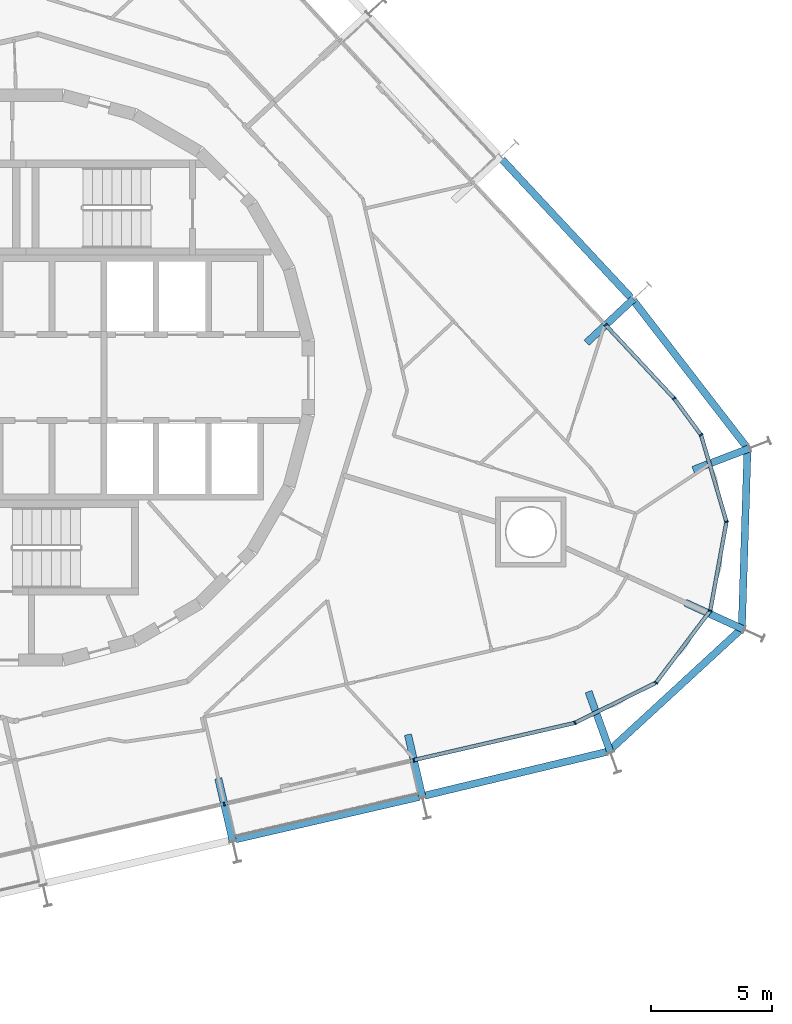
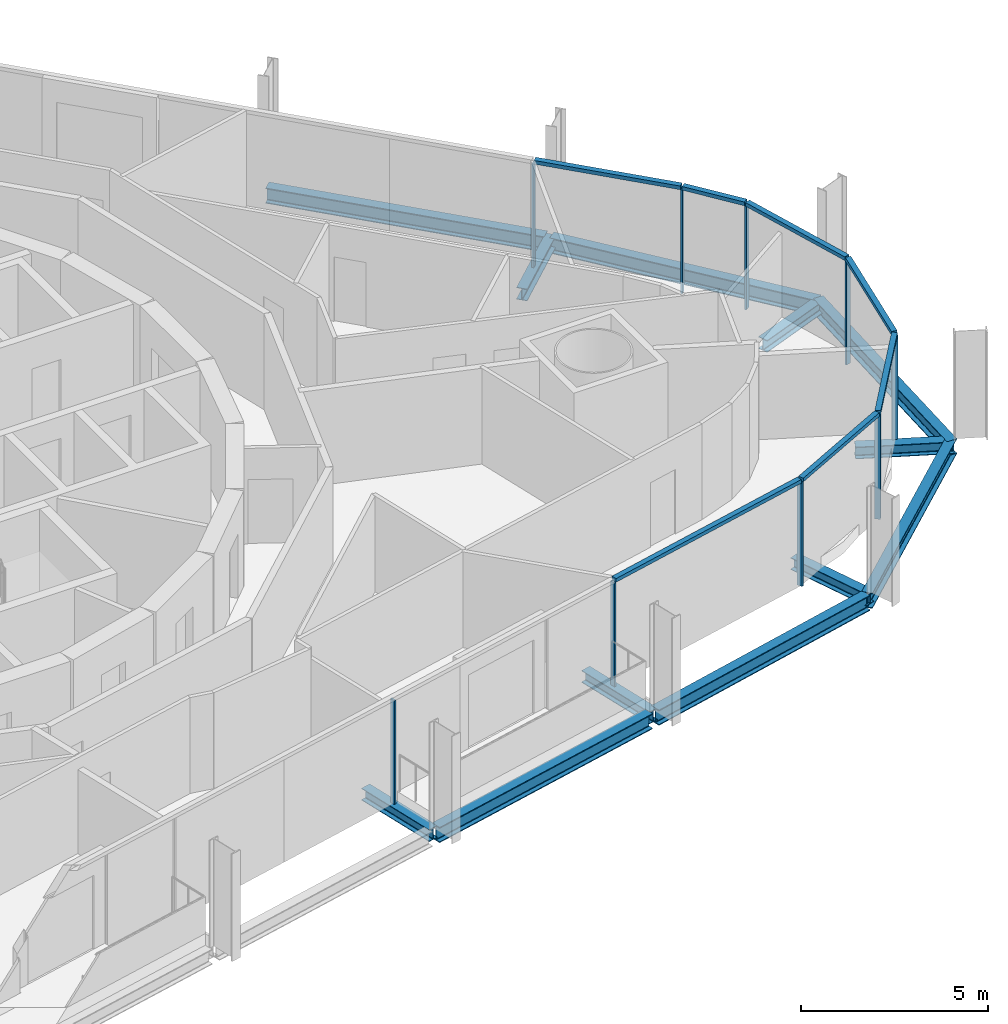
# One storey, part 6 of 18: 16 members, 12 beams, 3 elements without a shape of their own.
"""IFC4 building model written with IfcOpenShell, lengths in metres."""

from ifc_helpers import new_model, si_unit, direction, frame, origin, origin_2d, place, context, subcontext, project, spatial, rectangle, i_section, extrude, material, layer, layer_set, material_profile, profile_set, type_object, element, aggregate, save


model = new_model("IFC4")

# Units and contexts
model_context = context("Model", 3, precision=1e-05, world=origin(), true_north=direction((0.0, 1.0)))
body_context = subcontext(model_context, "Body", "Model", "MODEL_VIEW")
ifc_project = project(units=[si_unit("LENGTHUNIT", "METRE"), si_unit("AREAUNIT", "SQUARE_METRE"), si_unit("VOLUMEUNIT", "CUBIC_METRE"), si_unit("PLANEANGLEUNIT", "RADIAN"), si_unit("MASSUNIT", "GRAM", prefix="KILO")], contexts=[model_context])

# Site, building, storey
site_placement = place(None, origin())
site = spatial("IfcSite", under=ifc_project, at=site_placement, CompositionType="ELEMENT")
building_placement = place(site_placement, origin())
building = spatial("IfcBuilding", under=site, at=building_placement, Name="Spindle Arch Residences", CompositionType="ELEMENT")
storey_placement = place(building_placement, frame((0.0, 0.0, 120.39990234375)))
storey = spatial("IfcBuildingStorey", under=building, at=storey_placement, Name="L29", CompositionType="ELEMENT", Elevation=120.39990234375)

# Curtain wall, members
ifc_material_1 = material(Name="Aluminium bronze unitised frame with tinted glass", Category="aluminium")
ifc_layer_1 = layer(ifc_material_1, 0.159912109375)
ifc_layer_set_1 = layer_set([ifc_layer_1], Name="CW-D corner wall on the fillet arcs")
curtain_wall_type_1 = type_object("IfcCurtainWallType", Name="CW-D corner wall on the fillet arcs", PredefinedType="NOTDEFINED", material=ifc_layer_set_1)
curtain_wall_1_placement = place(storey_placement, origin())
curtain_wall_1 = element("IfcCurtainWall", 1, at=curtain_wall_1_placement, inside=storey, type_object=curtain_wall_type_1, Name="CW-D L29 run 1", PredefinedType="NOTDEFINED")
ifc_material_2 = material(Name="Aluminium bronze anodised mullion", Category="aluminium")
ifc_material_profile_1 = material_profile(ifc_material_2, rectangle(XDim=0.159912109375, YDim=0.06005859375, at=origin_2d()), Name="MU 60x160")
ifc_profile_set_1 = profile_set([ifc_material_profile_1], Name="Aluminium bronze anodised mullion")
member_type_1 = type_object("IfcMemberType", Name="Bronze mullion 60x160", PredefinedType="MULLION", material=ifc_profile_set_1)
member_1_placement = place(storey_placement, frame((16.002685546875, -15.775390625, -0.3798828125), z_axis=(0.0, 0.0, 1.0), x_axis=(-0.224951054344, 0.974370064785, 0.0)))
member_1 = element("IfcMember", 2, at=member_1_placement, type_object=member_type_1, Name="CW-D mullion 00", PredefinedType="MULLION", context=body_context, shape_type="SweptSolid", body=[
    extrude(rectangle(XDim=0.159912109375, YDim=0.06005859375, at=origin_2d()), origin(), (0.0, 0.0, 1.0), 3.3798828125),
])
member_2_placement = place(storey_placement, frame((22.647705078125, -14.2412109375, -0.3798828125), z_axis=(0.0, 0.0, 1.0), x_axis=(-0.443592675931, 0.896228507614, 0.0)))
member_2 = element("IfcMember", 3, at=member_2_placement, type_object=member_type_1, Name="CW-D mullion 01", PredefinedType="MULLION", context=body_context, shape_type="SweptSolid", body=[
    extrude(rectangle(XDim=0.159912109375, YDim=0.06005859375, at=origin_2d()), origin(), (0.0, 0.0, 1.0), 3.3798828125),
])
member_3_placement = place(storey_placement, frame((25.987548828125, -12.588134765625, -0.3798828125), z_axis=(0.0, 0.0, 1.0), x_axis=(-0.798635511056, 0.601815021814, 0.0)))
member_3 = element("IfcMember", 4, at=member_3_placement, type_object=member_type_1, Name="CW-D mullion 02", PredefinedType="MULLION", context=body_context, shape_type="SweptSolid", body=[
    extrude(rectangle(XDim=0.159912109375, YDim=0.06005859375, at=origin_2d()), origin(), (0.0, 0.0, 1.0), 3.3798828125),
])
member_4_placement = place(storey_placement, frame((28.23046875, -9.61181640625, -0.3798828125), z_axis=(0.0, 0.0, 1.0), x_axis=(-0.983780848179, 0.17937458782, 0.0)))
member_4 = element("IfcMember", 5, at=member_4_placement, type_object=member_type_1, Name="CW-D mullion 03", PredefinedType="MULLION", context=body_context, shape_type="SweptSolid", body=[
    extrude(rectangle(XDim=0.159912109375, YDim=0.06005859375, at=origin_2d()), origin(), (0.0, 0.0, 1.0), 3.3798828125),
])
member_5_placement = place(storey_placement, frame((28.89892578125, -5.945556640625, -0.3798828125), z_axis=(0.0, 0.0, 1.0), x_axis=(-0.959641844554, -0.281225052549, 0.0)))
member_5 = element("IfcMember", 6, at=member_5_placement, type_object=member_type_1, Name="CW-D mullion 04", PredefinedType="MULLION", context=body_context, shape_type="SweptSolid", body=[
    extrude(rectangle(XDim=0.159912109375, YDim=0.06005859375, at=origin_2d()), origin(), (0.0, 0.0, 1.0), 3.3798828125),
])
member_6_placement = place(storey_placement, frame((27.850830078125, -2.369140625, -0.3798828125), z_axis=(0.0, 0.0, 1.0), x_axis=(-0.805583724819, -0.592481951039, 0.0)))
member_6 = element("IfcMember", 7, at=member_6_placement, type_object=member_type_1, Name="CW-D mullion 05", PredefinedType="MULLION", context=body_context, shape_type="SweptSolid", body=[
    extrude(rectangle(XDim=0.159912109375, YDim=0.06005859375, at=origin_2d()), origin(), (0.0, 0.0, 1.0), 3.3798828125),
])
member_7_placement = place(storey_placement, frame((26.7392578125, -0.85791015625, -0.3798828125), z_axis=(0.0, 0.0, 1.0), x_axis=(-0.731353701619, -0.681998360062, 0.0)))
member_7 = element("IfcMember", 8, at=member_7_placement, type_object=member_type_1, Name="CW-D mullion 06", PredefinedType="MULLION", context=body_context, shape_type="SweptSolid", body=[
    extrude(rectangle(XDim=0.159912109375, YDim=0.06005859375, at=origin_2d()), origin(), (0.0, 0.0, 1.0), 3.3798828125),
])

# Curtain wall, member
ifc_material_3 = material(Name="Aluminium bronze unitised frame with tinted glass", Category="aluminium")
ifc_layer_2 = layer(ifc_material_3, 0.159912109375)
ifc_layer_set_2 = layer_set([ifc_layer_2], Name="CW-C typical residential unitised wall")
curtain_wall_type_2 = type_object("IfcCurtainWallType", Name="CW-C typical residential unitised wall", PredefinedType="NOTDEFINED", material=ifc_layer_set_2)
curtain_wall_2_placement = place(storey_placement, origin())
curtain_wall_2 = element("IfcCurtainWall", 9, at=curtain_wall_2_placement, inside=storey, type_object=curtain_wall_type_2, Name="CW-C L29 run 2", PredefinedType="NOTDEFINED")
member_8_placement = place(storey_placement, frame((23.91357421875, 2.172607421875, -0.3798828125), z_axis=(0.0, 0.0, 1.0), x_axis=(-0.731353701619, -0.681998360062, 0.0)))
member_8 = element("IfcMember", 10, at=member_8_placement, type_object=member_type_1, Name="CW-C mullion 05", PredefinedType="MULLION", context=body_context, shape_type="SweptSolid", body=[
    extrude(rectangle(XDim=0.159912109375, YDim=0.06005859375, at=origin_2d()), origin(), (0.0, 0.0, 1.0), 3.3798828125),
])
aggregate(curtain_wall_2, [member_8])

curtain_wall_3_placement = place(storey_placement, origin())
curtain_wall_3 = element("IfcCurtainWall", 11, at=curtain_wall_3_placement, inside=storey, type_object=curtain_wall_type_2, Name="CW-C L29 run 6", PredefinedType="NOTDEFINED")
member_9_placement = place(storey_placement, frame((8.17919921875, -17.58154296875, -0.3798828125), z_axis=(0.0, 0.0, 1.0), x_axis=(-0.224951054344, 0.974370064785, 0.0)))
member_9 = element("IfcMember", 12, at=member_9_placement, type_object=member_type_1, Name="CW-C mullion 00", PredefinedType="MULLION", context=body_context, shape_type="SweptSolid", body=[
    extrude(rectangle(XDim=0.159912109375, YDim=0.06005859375, at=origin_2d()), origin(), (0.0, 0.0, 1.0), 3.3798828125),
])
aggregate(curtain_wall_3, [member_9])

# Member
ifc_material_4 = material(Name="Aluminium bronze anodised transom", Category="aluminium")
ifc_material_profile_2 = material_profile(ifc_material_4, rectangle(XDim=0.159912109375, YDim=0.1201171875, at=origin_2d()), Name="TR 120x160")
ifc_profile_set_2 = profile_set([ifc_material_profile_2], Name="Aluminium bronze anodised transom")
member_type_2 = type_object("IfcMemberType", Name="Bronze transom 120x160", PredefinedType="USERDEFINED", material=ifc_profile_set_2)
member_10_placement = place(storey_placement, frame((16.03173828125, -15.7685546875, 3.06005859375), z_axis=(0.974374758263, 0.224930723691, 0.0), x_axis=(-0.224930723691, 0.974374758263, 0.0)))
member_10 = element("IfcMember", 13, at=member_10_placement, type_object=member_type_2, Name="CW-D transom 00", ObjectType="TRANSOM", PredefinedType="USERDEFINED", context=body_context, shape_type="SweptSolid", body=[
    extrude(rectangle(XDim=0.159912109375, YDim=0.1201171875, at=origin_2d()), origin(), (0.0, 0.0, 1.0), 6.760009765625),
])

member_11_placement = place(storey_placement, frame((22.674560546875, -14.22802734375, 3.06005859375), z_axis=(0.896204490037, 0.443641197408, 0.0), x_axis=(-0.443641197408, 0.896204490037, 0.0)))
member_11 = element("IfcMember", 14, at=member_11_placement, type_object=member_type_2, Name="CW-D transom 01", ObjectType="TRANSOM", PredefinedType="USERDEFINED", context=body_context, shape_type="SweptSolid", body=[
    extrude(rectangle(XDim=0.159912109375, YDim=0.1201171875, at=origin_2d()), origin(), (0.0, 0.0, 1.0), 3.666748046875),
])

member_12_placement = place(storey_placement, frame((26.005615234375, -12.564208984375, 3.06005859375), z_axis=(0.601820083797, 0.798631696553, 0.0), x_axis=(-0.798631696553, 0.601820083797, 0.0)))
member_12 = element("IfcMember", 15, at=member_12_placement, type_object=member_type_2, Name="CW-D transom 02", ObjectType="TRANSOM", PredefinedType="USERDEFINED", context=body_context, shape_type="SweptSolid", body=[
    extrude(rectangle(XDim=0.159912109375, YDim=0.1201171875, at=origin_2d()), origin(), (0.0, 0.0, 1.0), 3.666748046875),
])

member_13_placement = place(storey_placement, frame((28.23583984375, -9.582275390625, 3.06005859375), z_axis=(0.179377605594, 0.983780297938, 0.0), x_axis=(-0.983780297938, 0.179377605594, 0.0)))
member_13 = element("IfcMember", 16, at=member_13_placement, type_object=member_type_2, Name="CW-D transom 03", ObjectType="TRANSOM", PredefinedType="USERDEFINED", context=body_context, shape_type="SweptSolid", body=[
    extrude(rectangle(XDim=0.159912109375, YDim=0.1201171875, at=origin_2d()), origin(), (0.0, 0.0, 1.0), 3.666748046875),
])

member_14_placement = place(storey_placement, frame((28.890625, -5.916748046875, 3.06005859375), z_axis=(-0.281239778168, 0.959637529058, 0.0), x_axis=(-0.959637529058, -0.281239778168, 0.0)))
member_14 = element("IfcMember", 17, at=member_14_placement, type_object=member_type_2, Name="CW-D transom 04", ObjectType="TRANSOM", PredefinedType="USERDEFINED", context=body_context, shape_type="SweptSolid", body=[
    extrude(rectangle(XDim=0.159912109375, YDim=0.1201171875, at=origin_2d()), origin(), (0.0, 0.0, 1.0), 3.666748046875),
])

member_15_placement = place(storey_placement, frame((27.833251953125, -2.344970703125, 3.06005859375), z_axis=(-0.592575212526, 0.805515125557, 0.0), x_axis=(-0.805515125557, -0.592575212526, 0.0)))
member_15 = element("IfcMember", 18, at=member_15_placement, type_object=member_type_2, Name="CW-D transom 05", ObjectType="TRANSOM", PredefinedType="USERDEFINED", context=body_context, shape_type="SweptSolid", body=[
    extrude(rectangle(XDim=0.159912109375, YDim=0.1201171875, at=origin_2d()), origin(), (0.0, 0.0, 1.0), 1.816162109375),
])

member_16_placement = place(storey_placement, frame((26.718994140625, -0.8359375, 3.06005859375), z_axis=(-0.681983744213, 0.731367330846, 0.0), x_axis=(-0.731367330846, -0.681983744213, 0.0)))
member_16 = element("IfcMember", 19, at=member_16_placement, type_object=member_type_2, Name="CW-D transom 06", ObjectType="TRANSOM", PredefinedType="USERDEFINED", context=body_context, shape_type="SweptSolid", body=[
    extrude(rectangle(XDim=0.159912109375, YDim=0.1201171875, at=origin_2d()), origin(), (0.0, 0.0, 1.0), 4.08349609375),
])

aggregate(curtain_wall_1, [member_1, member_10, member_2, member_11, member_3, member_12, member_4, member_13, member_5, member_14, member_6, member_15, member_7, member_16])

# Beams
ifc_material_5 = material(Name="Steel S460ML, intumescent coating R 120", Category="steel")
ifc_material_profile_3 = material_profile(ifc_material_5, i_section(OverallWidth=0.300048828125, OverallDepth=0.5, WebThickness=0.014404296875, FlangeThickness=0.028076171875, FilletRadius=0.027099609375, at=origin_2d()), Name="HEB 500")
ifc_profile_set_3 = profile_set([ifc_material_profile_3], Name="Steel S460ML, intumescent coating R 120")
beam_type_1 = type_object("IfcBeamType", Name="Exoskeleton edge beam HEB 500", PredefinedType="BEAM", material=ifc_profile_set_3)
beam_1_placement = place(storey_placement, frame((8.64990234375, -19.043212890625, -0.6298828125), z_axis=(0.974368417755, 0.224958188297, 0.0), x_axis=(-0.224958188297, 0.974368417755, 0.0)))
element("IfcBeam", 20, at=beam_1_placement, inside=storey, type_object=beam_type_1, Name="Exoskeleton edge beam 1", PredefinedType="BEAM", context=body_context, shape_type="SweptSolid", body=[
    extrude(i_section(OverallWidth=0.300048828125, OverallDepth=0.5, WebThickness=0.014404296875, FlangeThickness=0.028076171875, FilletRadius=0.027099609375, at=origin_2d()), origin(), (0.0, 0.0, 1.0), 7.76953125),
])
beam_2_placement = place(storey_placement, frame((16.44482421875, -17.243408203125, -0.6298828125), z_axis=(0.972297635128, 0.233746248579, 0.0), x_axis=(-0.233746248579, 0.972297635128, 0.0)))
element("IfcBeam", 21, at=beam_2_placement, inside=storey, type_object=beam_type_1, Name="Exoskeleton edge beam 2", PredefinedType="BEAM", context=body_context, shape_type="SweptSolid", body=[
    extrude(i_section(OverallWidth=0.300048828125, OverallDepth=0.5, WebThickness=0.014404296875, FlangeThickness=0.028076171875, FilletRadius=0.027099609375, at=origin_2d()), origin(), (0.0, 0.0, 1.0), 7.7666015625),
])
for number, where, z_axis, x_axis, name in (
    (22, (24.025146484375, -15.419189453125, -0.6298828125), (0.73568442847, 0.677324458223, 0.0), (-0.677324458223, 0.73568442847, 0.0), "Exoskeleton edge beam 3"),
    (23, (29.5283203125, -10.42578125, -0.6298828125), (0.031715707037, 0.999496930424, 0.0), (-0.999496930424, 0.031715707037, 0.0), "Exoskeleton edge beam 4"),
):
    element("IfcBeam", number, at=place(storey_placement, frame(where, z_axis=z_axis, x_axis=x_axis)), inside=storey, type_object=beam_type_1, Name=name, PredefinedType="BEAM", context=body_context, shape_type="SweptSolid", body=[
        extrude(i_section(OverallWidth=0.300048828125, OverallDepth=0.5, WebThickness=0.014404296875, FlangeThickness=0.028076171875, FilletRadius=0.027099609375, at=origin_2d()), origin(), (0.0, 0.0, 1.0), 7.559326171875),
    ])
beam_3_placement = place(storey_placement, frame((29.766845703125, -2.91259765625, -0.6298828125), z_axis=(-0.611305970043, 0.791394346069, 0.0), x_axis=(-0.791394346069, -0.611305970043, 0.0)))
element("IfcBeam", 24, at=beam_3_placement, inside=storey, type_object=beam_type_1, Name="Exoskeleton edge beam 5", PredefinedType="BEAM", context=body_context, shape_type="SweptSolid", body=[
    extrude(i_section(OverallWidth=0.300048828125, OverallDepth=0.5, WebThickness=0.014404296875, FlangeThickness=0.028076171875, FilletRadius=0.027099609375, at=origin_2d()), origin(), (0.0, 0.0, 1.0), 7.708251953125),
])
beam_4_placement = place(storey_placement, frame((24.94384765625, 3.31103515625, -0.6298828125), z_axis=(-0.682008048331, 0.731344667042, 0.0), x_axis=(-0.731344667042, -0.682008048331, 0.0)))
element("IfcBeam", 25, at=beam_4_placement, inside=storey, type_object=beam_type_1, Name="Exoskeleton edge beam 6", PredefinedType="BEAM", context=body_context, shape_type="SweptSolid", body=[
    extrude(i_section(OverallWidth=0.300048828125, OverallDepth=0.5, WebThickness=0.014404296875, FlangeThickness=0.028076171875, FilletRadius=0.027099609375, at=origin_2d()), origin(), (0.0, 0.0, 1.0), 7.76904296875),
])
ifc_material_6 = material(Name="Steel S460ML, intumescent coating R 120", Category="steel")
ifc_material_profile_4 = material_profile(ifc_material_6, i_section(OverallWidth=0.300048828125, OverallDepth=0.389892578125, WebThickness=0.010986328125, FlangeThickness=0.01904296875, FilletRadius=0.027099609375, at=origin_2d()), Name="HEA 400")
ifc_profile_set_4 = profile_set([ifc_material_profile_4], Name="Steel S460ML, intumescent coating R 120")
beam_type_2 = type_object("IfcBeamType", Name="Floor outrigger HEA 400", PredefinedType="BEAM", material=ifc_profile_set_4)
for number, where, z_axis, x_axis, name in (
    (26, (8.532470703125, -19.111328125, -0.574951171875), (-0.224980619228, 0.974363238721, 0.0), (-0.974363238721, -0.224980619228, 0.0), "Floor outrigger 1"),
    (27, (16.355712890625, -17.30517578125, -0.574951171875), (-0.224893150114, 0.974383431218, 0.0), (-0.974383431218, -0.224893150114, 0.0), "Floor outrigger 2"),
):
    element("IfcBeam", number, at=place(storey_placement, frame(where, z_axis=z_axis, x_axis=x_axis)), inside=storey, type_object=beam_type_2, Name=name, PredefinedType="BEAM", context=body_context, shape_type="SweptSolid", body=[
        extrude(i_section(OverallWidth=0.300048828125, OverallDepth=0.389892578125, WebThickness=0.010986328125, FlangeThickness=0.01904296875, FilletRadius=0.027099609375, at=origin_2d()), origin(), (0.0, 0.0, 1.0), 2.64990234375),
    ])
beam_5_placement = place(storey_placement, frame((24.1083984375, -15.444580078125, -0.574951171875), z_axis=(-0.339759917159, 0.940512200183, 0.0), x_axis=(-0.940512200183, -0.339759917159, 0.0)))
element("IfcBeam", 28, at=beam_5_placement, inside=storey, type_object=beam_type_2, Name="Floor outrigger 3", PredefinedType="BEAM", context=body_context, shape_type="SweptSolid", body=[
    extrude(i_section(OverallWidth=0.300048828125, OverallDepth=0.389892578125, WebThickness=0.010986328125, FlangeThickness=0.01904296875, FilletRadius=0.027099609375, at=origin_2d()), origin(), (0.0, 0.0, 1.0), 2.650146484375),
])
beam_6_placement = place(storey_placement, frame((29.604736328125, -10.384033203125, -0.574951171875), z_axis=(-0.909319126007, 0.416099419703, 0.0), x_axis=(-0.416099419703, -0.909319126007, 0.0)))
element("IfcBeam", 29, at=beam_6_placement, inside=storey, type_object=beam_type_2, Name="Floor outrigger 4", PredefinedType="BEAM", context=body_context, shape_type="SweptSolid", body=[
    extrude(i_section(OverallWidth=0.300048828125, OverallDepth=0.389892578125, WebThickness=0.010986328125, FlangeThickness=0.01904296875, FilletRadius=0.027099609375, at=origin_2d()), origin(), (0.0, 0.0, 1.0), 2.649658203125),
])
beam_7_placement = place(storey_placement, frame((29.841796875, -2.9169921875, -0.574951171875), z_axis=(-0.933858846877, -0.35764179581, 0.0), x_axis=(0.35764179581, -0.933858846877, 0.0)))
element("IfcBeam", 30, at=beam_7_placement, inside=storey, type_object=beam_type_2, Name="Floor outrigger 5", PredefinedType="BEAM", context=body_context, shape_type="SweptSolid", body=[
    extrude(i_section(OverallWidth=0.300048828125, OverallDepth=0.389892578125, WebThickness=0.010986328125, FlangeThickness=0.01904296875, FilletRadius=0.027099609375, at=origin_2d()), origin(), (0.0, 0.0, 1.0), 2.484130859375),
])
beam_8_placement = place(storey_placement, frame((25.061767578125, 3.2431640625, -0.574951171875), z_axis=(-0.731321752584, -0.682032619599, 0.0), x_axis=(0.682032619599, -0.731321752584, 0.0)))
element("IfcBeam", 31, at=beam_8_placement, inside=storey, type_object=beam_type_2, Name="Floor outrigger 6", PredefinedType="BEAM", context=body_context, shape_type="SweptSolid", body=[
    extrude(i_section(OverallWidth=0.300048828125, OverallDepth=0.389892578125, WebThickness=0.010986328125, FlangeThickness=0.01904296875, FilletRadius=0.027099609375, at=origin_2d()), origin(), (0.0, 0.0, 1.0), 2.64990234375),
])

save(model, "model.ifc")
